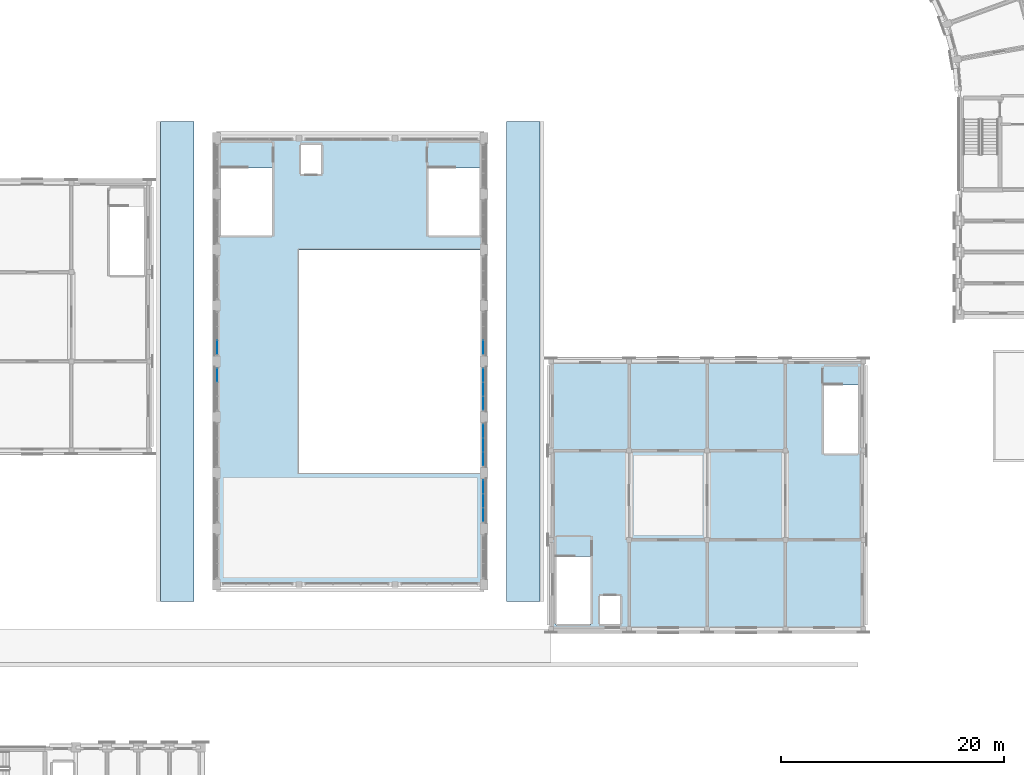
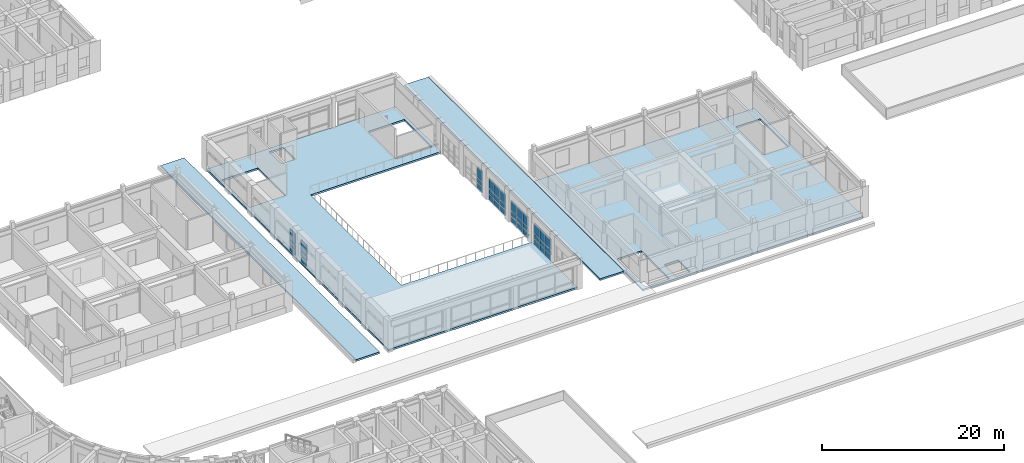
# One storey, part 46 of 97: 36 plates, 4 slabs, 6 elements without a shape of their own.
"""IFC4 building model written with IfcOpenShell, lengths in metres."""

from ifc_helpers import new_model, si_unit, direction, frame, origin, origin_2d, place, context, subcontext, project, spatial, polyline, rectangle, outline, extrude, material, layer, layer_set, type_object, element, aggregate, save


model = new_model("IFC4")

# Units and contexts
model_context = context("Model", 3, precision=1e-05, world=origin(), true_north=direction((0.0, 1.0)))
body_context = subcontext(model_context, "Body", "Model", "MODEL_VIEW")
ifc_project = project(units=[si_unit("LENGTHUNIT", "METRE"), si_unit("AREAUNIT", "SQUARE_METRE"), si_unit("VOLUMEUNIT", "CUBIC_METRE"), si_unit("PLANEANGLEUNIT", "RADIAN"), si_unit("MASSUNIT", "GRAM", prefix="KILO")], contexts=[model_context])

# Site, building, storey
site_placement = place(None, origin())
site = spatial("IfcSite", under=ifc_project, at=site_placement, CompositionType="ELEMENT")
building_placement = place(site_placement, origin())
building = spatial("IfcBuilding", under=site, at=building_placement, Name="Kiranvali Square Residences", CompositionType="ELEMENT")
storey_placement = place(building_placement, frame((0.0, 0.0, 4.5)))
storey = spatial("IfcBuildingStorey", under=building, at=storey_placement, Name="L01", CompositionType="ELEMENT", Elevation=4.5)

# Curtain wall, plates
ifc_material_1 = material(Name="Anodised bronze aluminium framing", Category="aluminium")
curtain_wall_type = type_object("IfcCurtainWallType", Name="CW-CH-GLZ", PredefinedType="USERDEFINED", material=ifc_material_1)
curtain_wall_1_placement = place(storey_placement, origin())
curtain_wall_1 = element("IfcCurtainWall", 1, at=curtain_wall_1_placement, inside=storey, type_object=curtain_wall_type, Name="Community Hall L01 E clerestory bay 2", ObjectType="CURTAIN WALL", PredefinedType="USERDEFINED")
ifc_material_2 = material(Name="Solar-control low-e double glazing", Category="glass")
ifc_layer_1 = layer(ifc_material_2, 0.028076171875)
ifc_layer_set_1 = layer_set([ifc_layer_1], Name="Solar-control low-e double glazing")
plate_type_1 = type_object("IfcPlateType", Name="PLT-CW-GLZ", PredefinedType="CURTAIN_PANEL", material=ifc_layer_set_1)
plate_1_placement = place(storey_placement, frame((95.919921875, 50.25341796875, 0.889892578125), z_axis=(0.0, 0.0, 1.0), x_axis=(0.0, 1.0, 0.0)))
plate_1 = element("IfcPlate", 2, at=plate_1_placement, type_object=plate_type_1, Name="CW-CH-L01-E2 glazed panel 1.2", PredefinedType="CURTAIN_PANEL", context=body_context, shape_type="SweptSolid", body=[
    extrude(rectangle(XDim=1.166748046875, YDim=0.028076171875, at=origin_2d()), origin(), (0.0, 0.0, 1.0), 0.6201171875),
])
plate_2_placement = place(storey_placement, frame((95.919921875, 50.25341796875, 1.58984375), z_axis=(0.0, 0.0, 1.0), x_axis=(0.0, 1.0, 0.0)))
plate_2 = element("IfcPlate", 3, at=plate_2_placement, type_object=plate_type_1, Name="CW-CH-L01-E2 glazed panel 1.3", PredefinedType="CURTAIN_PANEL", context=body_context, shape_type="SweptSolid", body=[
    extrude(rectangle(XDim=1.166748046875, YDim=0.028076171875, at=origin_2d()), origin(), (0.0, 0.0, 1.0), 1.429931640625),
])
plate_3_placement = place(storey_placement, frame((95.919921875, 51.5, 0.889892578125), z_axis=(0.0, 0.0, 1.0), x_axis=(0.0, 1.0, 0.0)))
plate_3 = element("IfcPlate", 4, at=plate_3_placement, type_object=plate_type_1, Name="CW-CH-L01-E2 glazed panel 2.2", PredefinedType="CURTAIN_PANEL", context=body_context, shape_type="SweptSolid", body=[
    extrude(rectangle(XDim=1.166748046875, YDim=0.028076171875, at=origin_2d()), origin(), (0.0, 0.0, 1.0), 0.6201171875),
])
plate_4_placement = place(storey_placement, frame((95.919921875, 51.5, 1.58984375), z_axis=(0.0, 0.0, 1.0), x_axis=(0.0, 1.0, 0.0)))
plate_4 = element("IfcPlate", 5, at=plate_4_placement, type_object=plate_type_1, Name="CW-CH-L01-E2 glazed panel 2.3", PredefinedType="CURTAIN_PANEL", context=body_context, shape_type="SweptSolid", body=[
    extrude(rectangle(XDim=1.166748046875, YDim=0.028076171875, at=origin_2d()), origin(), (0.0, 0.0, 1.0), 1.429931640625),
])
plate_5_placement = place(storey_placement, frame((95.919921875, 52.74658203125, 0.889892578125), z_axis=(0.0, 0.0, 1.0), x_axis=(0.0, 1.0, 0.0)))
plate_5 = element("IfcPlate", 6, at=plate_5_placement, type_object=plate_type_1, Name="CW-CH-L01-E2 glazed panel 3.2", PredefinedType="CURTAIN_PANEL", context=body_context, shape_type="SweptSolid", body=[
    extrude(rectangle(XDim=1.166748046875, YDim=0.028076171875, at=origin_2d()), origin(), (0.0, 0.0, 1.0), 0.6201171875),
])
plate_6_placement = place(storey_placement, frame((95.919921875, 52.74658203125, 1.58984375), z_axis=(0.0, 0.0, 1.0), x_axis=(0.0, 1.0, 0.0)))
plate_6 = element("IfcPlate", 7, at=plate_6_placement, type_object=plate_type_1, Name="CW-CH-L01-E2 glazed panel 3.3", PredefinedType="CURTAIN_PANEL", context=body_context, shape_type="SweptSolid", body=[
    extrude(rectangle(XDim=1.166748046875, YDim=0.028076171875, at=origin_2d()), origin(), (0.0, 0.0, 1.0), 1.429931640625),
])

curtain_wall_2_placement = place(storey_placement, origin())
curtain_wall_2 = element("IfcCurtainWall", 8, at=curtain_wall_2_placement, inside=storey, type_object=curtain_wall_type, Name="Community Hall L01 E clerestory bay 3", ObjectType="CURTAIN WALL", PredefinedType="USERDEFINED")
plate_7_placement = place(storey_placement, frame((95.919921875, 55.25341796875, 0.889892578125), z_axis=(0.0, 0.0, 1.0), x_axis=(0.0, 1.0, 0.0)))
plate_7 = element("IfcPlate", 9, at=plate_7_placement, type_object=plate_type_1, Name="CW-CH-L01-E3 glazed panel 1.2", PredefinedType="CURTAIN_PANEL", context=body_context, shape_type="SweptSolid", body=[
    extrude(rectangle(XDim=1.166748046875, YDim=0.028076171875, at=origin_2d()), origin(), (0.0, 0.0, 1.0), 0.6201171875),
])
plate_8_placement = place(storey_placement, frame((95.919921875, 55.25341796875, 1.58984375), z_axis=(0.0, 0.0, 1.0), x_axis=(0.0, 1.0, 0.0)))
plate_8 = element("IfcPlate", 10, at=plate_8_placement, type_object=plate_type_1, Name="CW-CH-L01-E3 glazed panel 1.3", PredefinedType="CURTAIN_PANEL", context=body_context, shape_type="SweptSolid", body=[
    extrude(rectangle(XDim=1.166748046875, YDim=0.028076171875, at=origin_2d()), origin(), (0.0, 0.0, 1.0), 1.429931640625),
])
plate_9_placement = place(storey_placement, frame((95.919921875, 56.5, 0.889892578125), z_axis=(0.0, 0.0, 1.0), x_axis=(0.0, 1.0, 0.0)))
plate_9 = element("IfcPlate", 11, at=plate_9_placement, type_object=plate_type_1, Name="CW-CH-L01-E3 glazed panel 2.2", PredefinedType="CURTAIN_PANEL", context=body_context, shape_type="SweptSolid", body=[
    extrude(rectangle(XDim=1.166748046875, YDim=0.028076171875, at=origin_2d()), origin(), (0.0, 0.0, 1.0), 0.6201171875),
])
plate_10_placement = place(storey_placement, frame((95.919921875, 56.5, 1.58984375), z_axis=(0.0, 0.0, 1.0), x_axis=(0.0, 1.0, 0.0)))
plate_10 = element("IfcPlate", 12, at=plate_10_placement, type_object=plate_type_1, Name="CW-CH-L01-E3 glazed panel 2.3", PredefinedType="CURTAIN_PANEL", context=body_context, shape_type="SweptSolid", body=[
    extrude(rectangle(XDim=1.166748046875, YDim=0.028076171875, at=origin_2d()), origin(), (0.0, 0.0, 1.0), 1.429931640625),
])
plate_11_placement = place(storey_placement, frame((95.919921875, 57.74658203125, 0.889892578125), z_axis=(0.0, 0.0, 1.0), x_axis=(0.0, 1.0, 0.0)))
plate_11 = element("IfcPlate", 13, at=plate_11_placement, type_object=plate_type_1, Name="CW-CH-L01-E3 glazed panel 3.2", PredefinedType="CURTAIN_PANEL", context=body_context, shape_type="SweptSolid", body=[
    extrude(rectangle(XDim=1.166748046875, YDim=0.028076171875, at=origin_2d()), origin(), (0.0, 0.0, 1.0), 0.6201171875),
])
plate_12_placement = place(storey_placement, frame((95.919921875, 57.74658203125, 1.58984375), z_axis=(0.0, 0.0, 1.0), x_axis=(0.0, 1.0, 0.0)))
plate_12 = element("IfcPlate", 14, at=plate_12_placement, type_object=plate_type_1, Name="CW-CH-L01-E3 glazed panel 3.3", PredefinedType="CURTAIN_PANEL", context=body_context, shape_type="SweptSolid", body=[
    extrude(rectangle(XDim=1.166748046875, YDim=0.028076171875, at=origin_2d()), origin(), (0.0, 0.0, 1.0), 1.429931640625),
])

curtain_wall_3_placement = place(storey_placement, origin())
curtain_wall_3 = element("IfcCurtainWall", 15, at=curtain_wall_3_placement, inside=storey, type_object=curtain_wall_type, Name="Community Hall L01 W clerestory bay 4", ObjectType="CURTAIN WALL", PredefinedType="USERDEFINED")
plate_13_placement = place(storey_placement, frame((72.080078125, 62.74658203125, 0.889892578125), z_axis=(0.0, 0.0, 1.0), x_axis=(0.0, 1.0, 0.0)))
plate_13 = element("IfcPlate", 16, at=plate_13_placement, type_object=plate_type_1, Name="CW-CH-L01-W4 glazed panel 3.2", PredefinedType="CURTAIN_PANEL", context=body_context, shape_type="SweptSolid", body=[
    extrude(rectangle(XDim=1.166748046875, YDim=0.028076171875, at=origin_2d()), origin(), (0.0, 0.0, 1.0), 0.6201171875),
])
plate_14_placement = place(storey_placement, frame((72.080078125, 62.74658203125, 1.58984375), z_axis=(0.0, 0.0, 1.0), x_axis=(0.0, 1.0, 0.0)))
plate_14 = element("IfcPlate", 17, at=plate_14_placement, type_object=plate_type_1, Name="CW-CH-L01-W4 glazed panel 3.3", PredefinedType="CURTAIN_PANEL", context=body_context, shape_type="SweptSolid", body=[
    extrude(rectangle(XDim=1.166748046875, YDim=0.028076171875, at=origin_2d()), origin(), (0.0, 0.0, 1.0), 1.429931640625),
])

curtain_wall_4_placement = place(storey_placement, origin())
curtain_wall_4 = element("IfcCurtainWall", 18, at=curtain_wall_4_placement, inside=storey, type_object=curtain_wall_type, Name="Community Hall L01 E clerestory bay 4", ObjectType="CURTAIN WALL", PredefinedType="USERDEFINED")
plate_15_placement = place(storey_placement, frame((95.919921875, 60.25341796875, 0.889892578125), z_axis=(0.0, 0.0, 1.0), x_axis=(0.0, 1.0, 0.0)))
plate_15 = element("IfcPlate", 19, at=plate_15_placement, type_object=plate_type_1, Name="CW-CH-L01-E4 glazed panel 1.2", PredefinedType="CURTAIN_PANEL", context=body_context, shape_type="SweptSolid", body=[
    extrude(rectangle(XDim=1.166748046875, YDim=0.028076171875, at=origin_2d()), origin(), (0.0, 0.0, 1.0), 0.6201171875),
])
plate_16_placement = place(storey_placement, frame((95.919921875, 60.25341796875, 1.58984375), z_axis=(0.0, 0.0, 1.0), x_axis=(0.0, 1.0, 0.0)))
plate_16 = element("IfcPlate", 20, at=plate_16_placement, type_object=plate_type_1, Name="CW-CH-L01-E4 glazed panel 1.3", PredefinedType="CURTAIN_PANEL", context=body_context, shape_type="SweptSolid", body=[
    extrude(rectangle(XDim=1.166748046875, YDim=0.028076171875, at=origin_2d()), origin(), (0.0, 0.0, 1.0), 1.429931640625),
])
plate_17_placement = place(storey_placement, frame((95.919921875, 61.5, 0.889892578125), z_axis=(0.0, 0.0, 1.0), x_axis=(0.0, 1.0, 0.0)))
plate_17 = element("IfcPlate", 21, at=plate_17_placement, type_object=plate_type_1, Name="CW-CH-L01-E4 glazed panel 2.2", PredefinedType="CURTAIN_PANEL", context=body_context, shape_type="SweptSolid", body=[
    extrude(rectangle(XDim=1.166748046875, YDim=0.028076171875, at=origin_2d()), origin(), (0.0, 0.0, 1.0), 0.6201171875),
])
plate_18_placement = place(storey_placement, frame((95.919921875, 61.5, 1.58984375), z_axis=(0.0, 0.0, 1.0), x_axis=(0.0, 1.0, 0.0)))
plate_18 = element("IfcPlate", 22, at=plate_18_placement, type_object=plate_type_1, Name="CW-CH-L01-E4 glazed panel 2.3", PredefinedType="CURTAIN_PANEL", context=body_context, shape_type="SweptSolid", body=[
    extrude(rectangle(XDim=1.166748046875, YDim=0.028076171875, at=origin_2d()), origin(), (0.0, 0.0, 1.0), 1.429931640625),
])
plate_19_placement = place(storey_placement, frame((95.919921875, 62.74658203125, 0.889892578125), z_axis=(0.0, 0.0, 1.0), x_axis=(0.0, 1.0, 0.0)))
plate_19 = element("IfcPlate", 23, at=plate_19_placement, type_object=plate_type_1, Name="CW-CH-L01-E4 glazed panel 3.2", PredefinedType="CURTAIN_PANEL", context=body_context, shape_type="SweptSolid", body=[
    extrude(rectangle(XDim=1.166748046875, YDim=0.028076171875, at=origin_2d()), origin(), (0.0, 0.0, 1.0), 0.6201171875),
])
plate_20_placement = place(storey_placement, frame((95.919921875, 62.74658203125, 1.58984375), z_axis=(0.0, 0.0, 1.0), x_axis=(0.0, 1.0, 0.0)))
plate_20 = element("IfcPlate", 24, at=plate_20_placement, type_object=plate_type_1, Name="CW-CH-L01-E4 glazed panel 3.3", PredefinedType="CURTAIN_PANEL", context=body_context, shape_type="SweptSolid", body=[
    extrude(rectangle(XDim=1.166748046875, YDim=0.028076171875, at=origin_2d()), origin(), (0.0, 0.0, 1.0), 1.429931640625),
])

curtain_wall_5_placement = place(storey_placement, origin())
curtain_wall_5 = element("IfcCurtainWall", 25, at=curtain_wall_5_placement, inside=storey, type_object=curtain_wall_type, Name="Community Hall L01 W clerestory bay 5", ObjectType="CURTAIN WALL", PredefinedType="USERDEFINED")
plate_21_placement = place(storey_placement, frame((72.080078125, 65.25341796875, 0.889892578125), z_axis=(0.0, 0.0, 1.0), x_axis=(0.0, 1.0, 0.0)))
plate_21 = element("IfcPlate", 26, at=plate_21_placement, type_object=plate_type_1, Name="CW-CH-L01-W5 glazed panel 1.2", PredefinedType="CURTAIN_PANEL", context=body_context, shape_type="SweptSolid", body=[
    extrude(rectangle(XDim=1.166748046875, YDim=0.028076171875, at=origin_2d()), origin(), (0.0, 0.0, 1.0), 0.6201171875),
])
plate_22_placement = place(storey_placement, frame((72.080078125, 65.25341796875, 1.58984375), z_axis=(0.0, 0.0, 1.0), x_axis=(0.0, 1.0, 0.0)))
plate_22 = element("IfcPlate", 27, at=plate_22_placement, type_object=plate_type_1, Name="CW-CH-L01-W5 glazed panel 1.3", PredefinedType="CURTAIN_PANEL", context=body_context, shape_type="SweptSolid", body=[
    extrude(rectangle(XDim=1.166748046875, YDim=0.028076171875, at=origin_2d()), origin(), (0.0, 0.0, 1.0), 1.429931640625),
])

curtain_wall_6_placement = place(storey_placement, origin())
curtain_wall_6 = element("IfcCurtainWall", 28, at=curtain_wall_6_placement, inside=storey, type_object=curtain_wall_type, Name="Community Hall L01 E clerestory bay 5", ObjectType="CURTAIN WALL", PredefinedType="USERDEFINED")
plate_23_placement = place(storey_placement, frame((95.919921875, 65.25341796875, 0.889892578125), z_axis=(0.0, 0.0, 1.0), x_axis=(0.0, 1.0, 0.0)))
plate_23 = element("IfcPlate", 29, at=plate_23_placement, type_object=plate_type_1, Name="CW-CH-L01-E5 glazed panel 1.2", PredefinedType="CURTAIN_PANEL", context=body_context, shape_type="SweptSolid", body=[
    extrude(rectangle(XDim=1.166748046875, YDim=0.028076171875, at=origin_2d()), origin(), (0.0, 0.0, 1.0), 0.6201171875),
])
plate_24_placement = place(storey_placement, frame((95.919921875, 65.25341796875, 1.58984375), z_axis=(0.0, 0.0, 1.0), x_axis=(0.0, 1.0, 0.0)))
plate_24 = element("IfcPlate", 30, at=plate_24_placement, type_object=plate_type_1, Name="CW-CH-L01-E5 glazed panel 1.3", PredefinedType="CURTAIN_PANEL", context=body_context, shape_type="SweptSolid", body=[
    extrude(rectangle(XDim=1.166748046875, YDim=0.028076171875, at=origin_2d()), origin(), (0.0, 0.0, 1.0), 1.429931640625),
])

# Plate
ifc_material_3 = material(Name="Honed Porbandar limestone ashlar facade cladding", Category="masonry")
ifc_layer_2 = layer(ifc_material_3, 0.02392578125)
ifc_layer_set_2 = layer_set([ifc_layer_2], Name="Honed Porbandar limestone ashlar facade cladding")
plate_type_2 = type_object("IfcPlateType", Name="PLT-CW-SPN", PredefinedType="SHEET", material=ifc_layer_set_2)
plate_25_placement = place(storey_placement, frame((95.919921875, 50.25341796875, 0.080078125), z_axis=(0.0, 0.0, 1.0), x_axis=(0.0, 1.0, 0.0)))
plate_25 = element("IfcPlate", 31, at=plate_25_placement, type_object=plate_type_2, Name="CW-CH-L01-E2 spandrel panel 1.1", PredefinedType="SHEET", context=body_context, shape_type="SweptSolid", body=[
    extrude(rectangle(XDim=1.166748046875, YDim=0.02392578125, at=origin_2d()), origin(), (0.0, 0.0, 1.0), 0.72998046875),
])

plate_26_placement = place(storey_placement, frame((95.919921875, 51.5, 0.080078125), z_axis=(0.0, 0.0, 1.0), x_axis=(0.0, 1.0, 0.0)))
plate_26 = element("IfcPlate", 32, at=plate_26_placement, type_object=plate_type_2, Name="CW-CH-L01-E2 spandrel panel 2.1", PredefinedType="SHEET", context=body_context, shape_type="SweptSolid", body=[
    extrude(rectangle(XDim=1.166748046875, YDim=0.02392578125, at=origin_2d()), origin(), (0.0, 0.0, 1.0), 0.72998046875),
])

plate_27_placement = place(storey_placement, frame((95.919921875, 52.74658203125, 0.080078125), z_axis=(0.0, 0.0, 1.0), x_axis=(0.0, 1.0, 0.0)))
plate_27 = element("IfcPlate", 33, at=plate_27_placement, type_object=plate_type_2, Name="CW-CH-L01-E2 spandrel panel 3.1", PredefinedType="SHEET", context=body_context, shape_type="SweptSolid", body=[
    extrude(rectangle(XDim=1.166748046875, YDim=0.02392578125, at=origin_2d()), origin(), (0.0, 0.0, 1.0), 0.72998046875),
])

aggregate(curtain_wall_1, [plate_25, plate_1, plate_2, plate_26, plate_3, plate_4, plate_27, plate_5, plate_6])

plate_28_placement = place(storey_placement, frame((95.919921875, 55.25341796875, 0.080078125), z_axis=(0.0, 0.0, 1.0), x_axis=(0.0, 1.0, 0.0)))
plate_28 = element("IfcPlate", 34, at=plate_28_placement, type_object=plate_type_2, Name="CW-CH-L01-E3 spandrel panel 1.1", PredefinedType="SHEET", context=body_context, shape_type="SweptSolid", body=[
    extrude(rectangle(XDim=1.166748046875, YDim=0.02392578125, at=origin_2d()), origin(), (0.0, 0.0, 1.0), 0.72998046875),
])

plate_29_placement = place(storey_placement, frame((95.919921875, 56.5, 0.080078125), z_axis=(0.0, 0.0, 1.0), x_axis=(0.0, 1.0, 0.0)))
plate_29 = element("IfcPlate", 35, at=plate_29_placement, type_object=plate_type_2, Name="CW-CH-L01-E3 spandrel panel 2.1", PredefinedType="SHEET", context=body_context, shape_type="SweptSolid", body=[
    extrude(rectangle(XDim=1.166748046875, YDim=0.02392578125, at=origin_2d()), origin(), (0.0, 0.0, 1.0), 0.72998046875),
])

plate_30_placement = place(storey_placement, frame((95.919921875, 57.74658203125, 0.080078125), z_axis=(0.0, 0.0, 1.0), x_axis=(0.0, 1.0, 0.0)))
plate_30 = element("IfcPlate", 36, at=plate_30_placement, type_object=plate_type_2, Name="CW-CH-L01-E3 spandrel panel 3.1", PredefinedType="SHEET", context=body_context, shape_type="SweptSolid", body=[
    extrude(rectangle(XDim=1.166748046875, YDim=0.02392578125, at=origin_2d()), origin(), (0.0, 0.0, 1.0), 0.72998046875),
])

aggregate(curtain_wall_2, [plate_28, plate_7, plate_8, plate_29, plate_9, plate_10, plate_30, plate_11, plate_12])

plate_31_placement = place(storey_placement, frame((72.080078125, 62.74658203125, 0.080078125), z_axis=(0.0, 0.0, 1.0), x_axis=(0.0, 1.0, 0.0)))
plate_31 = element("IfcPlate", 37, at=plate_31_placement, type_object=plate_type_2, Name="CW-CH-L01-W4 spandrel panel 3.1", PredefinedType="SHEET", context=body_context, shape_type="SweptSolid", body=[
    extrude(rectangle(XDim=1.166748046875, YDim=0.02392578125, at=origin_2d()), origin(), (0.0, 0.0, 1.0), 0.72998046875),
])

aggregate(curtain_wall_3, [plate_31, plate_13, plate_14])

plate_32_placement = place(storey_placement, frame((95.919921875, 60.25341796875, 0.080078125), z_axis=(0.0, 0.0, 1.0), x_axis=(0.0, 1.0, 0.0)))
plate_32 = element("IfcPlate", 38, at=plate_32_placement, type_object=plate_type_2, Name="CW-CH-L01-E4 spandrel panel 1.1", PredefinedType="SHEET", context=body_context, shape_type="SweptSolid", body=[
    extrude(rectangle(XDim=1.166748046875, YDim=0.02392578125, at=origin_2d()), origin(), (0.0, 0.0, 1.0), 0.72998046875),
])

plate_33_placement = place(storey_placement, frame((95.919921875, 61.5, 0.080078125), z_axis=(0.0, 0.0, 1.0), x_axis=(0.0, 1.0, 0.0)))
plate_33 = element("IfcPlate", 39, at=plate_33_placement, type_object=plate_type_2, Name="CW-CH-L01-E4 spandrel panel 2.1", PredefinedType="SHEET", context=body_context, shape_type="SweptSolid", body=[
    extrude(rectangle(XDim=1.166748046875, YDim=0.02392578125, at=origin_2d()), origin(), (0.0, 0.0, 1.0), 0.72998046875),
])

plate_34_placement = place(storey_placement, frame((95.919921875, 62.74658203125, 0.080078125), z_axis=(0.0, 0.0, 1.0), x_axis=(0.0, 1.0, 0.0)))
plate_34 = element("IfcPlate", 40, at=plate_34_placement, type_object=plate_type_2, Name="CW-CH-L01-E4 spandrel panel 3.1", PredefinedType="SHEET", context=body_context, shape_type="SweptSolid", body=[
    extrude(rectangle(XDim=1.166748046875, YDim=0.02392578125, at=origin_2d()), origin(), (0.0, 0.0, 1.0), 0.72998046875),
])

aggregate(curtain_wall_4, [plate_32, plate_15, plate_16, plate_33, plate_17, plate_18, plate_34, plate_19, plate_20])

plate_35_placement = place(storey_placement, frame((72.080078125, 65.25341796875, 0.080078125), z_axis=(0.0, 0.0, 1.0), x_axis=(0.0, 1.0, 0.0)))
plate_35 = element("IfcPlate", 41, at=plate_35_placement, type_object=plate_type_2, Name="CW-CH-L01-W5 spandrel panel 1.1", PredefinedType="SHEET", context=body_context, shape_type="SweptSolid", body=[
    extrude(rectangle(XDim=1.166748046875, YDim=0.02392578125, at=origin_2d()), origin(), (0.0, 0.0, 1.0), 0.72998046875),
])

aggregate(curtain_wall_5, [plate_35, plate_21, plate_22])

plate_36_placement = place(storey_placement, frame((95.919921875, 65.25341796875, 0.080078125), z_axis=(0.0, 0.0, 1.0), x_axis=(0.0, 1.0, 0.0)))
plate_36 = element("IfcPlate", 42, at=plate_36_placement, type_object=plate_type_2, Name="CW-CH-L01-E5 spandrel panel 1.1", PredefinedType="SHEET", context=body_context, shape_type="SweptSolid", body=[
    extrude(rectangle(XDim=1.166748046875, YDim=0.02392578125, at=origin_2d()), origin(), (0.0, 0.0, 1.0), 0.72998046875),
])

aggregate(curtain_wall_6, [plate_36, plate_23, plate_24])

# Slabs
ifc_material_4 = material(Name="Concrete M35 (35 MPa)", Category="concrete")
ifc_layer_3 = layer(ifc_material_4, 0.219970703125)
ifc_layer_set_3 = layer_set([ifc_layer_3], Name="Concrete M35 (35 MPa)")
slab_type_1 = type_object("IfcSlabType", Name="SLB-FLR-220", PredefinedType="FLOOR", material=ifc_layer_set_3)
slab_1_placement = place(storey_placement, frame((0.0, 0.0, -0.219970703125)))
element("IfcSlab", 43, at=slab_1_placement, inside=storey, type_object=slab_type_1, Name="Southeast Square Retail Pavilion L01 floor slab", PredefinedType="FLOOR", context=body_context, shape_type="SweptSolid", body=[
    extrude(outline(polyline([(102.0, 40.0), (130.0, 40.0), (130.0, 64.0), (102.0, 64.0), (102.0, 40.0)]), holes=[polyline([(106.39990234375, 40.35009765625), (108.199951171875, 40.35009765625), (108.199951171875, 42.949951171875), (106.39990234375, 42.949951171875), (106.39990234375, 40.35009765625)]), polyline([(102.449951171875, 46.5), (102.449951171875, 40.35009765625), (105.550048828125, 40.35009765625), (105.550048828125, 46.5), (102.449951171875, 46.5)]), polyline([(126.449951171875, 61.89990234375), (126.449951171875, 55.75), (129.550048828125, 55.75), (129.550048828125, 61.89990234375), (126.449951171875, 61.89990234375)])]), origin(), (0.0, 0.0, 1.0), 0.219970703125),
])
ifc_layer_4 = layer(ifc_material_4, 0.25)
ifc_layer_set_4 = layer_set([ifc_layer_4], Name="Concrete M35 (35 MPa)")
slab_type_2 = type_object("IfcSlabType", Name="SLB-GAL-250", PredefinedType="FLOOR", material=ifc_layer_set_4)
slab_2_placement = place(storey_placement, frame((0.0, 0.0, -0.25)))
element("IfcSlab", 44, at=slab_2_placement, inside=storey, type_object=slab_type_2, Name="Community Hall L01 gallery and seminar floor slab", PredefinedType="FLOOR", context=body_context, shape_type="SweptSolid", body=[
    extrude(outline(polyline([(96.0, 44.0), (72.0, 44.0), (72.0, 84.0), (96.0, 84.0), (96.0, 74.0), (79.39990234375, 74.0), (79.39990234375, 54.0), (96.0, 54.0), (96.0, 44.0)]), holes=[polyline([(79.60009765625, 80.800048828125), (81.39990234375, 80.800048828125), (81.39990234375, 83.39990234375), (79.60009765625, 83.39990234375), (79.60009765625, 80.800048828125)]), polyline([(72.39990234375, 81.35009765625), (72.39990234375, 75.300048828125), (77.0, 75.300048828125), (77.0, 81.35009765625), (72.39990234375, 81.35009765625)]), polyline([(91.0, 81.35009765625), (91.0, 75.300048828125), (95.60009765625, 75.300048828125), (95.60009765625, 81.35009765625), (91.0, 81.35009765625)])]), origin(), (0.0, 0.0, 1.0), 0.25),
])
ifc_material_5 = material(Name="Concrete M40 (40 MPa)", Category="concrete")
ifc_layer_5 = layer(ifc_material_5, 0.239990234375)
ifc_layer_set_5 = layer_set([ifc_layer_5], Name="Concrete M40 (40 MPa)")
slab_type_3 = type_object("IfcSlabType", Name="SLB-ROOF-240", PredefinedType="ROOF", material=ifc_layer_set_5)
slab_3_placement = place(storey_placement, frame((0.0, 0.0, 1.06005859375)))
element("IfcSlab", 45, at=slab_3_placement, inside=storey, type_object=slab_type_3, Name="Classical Ottoman colonnade entablature roof ARC-GDN-W", PredefinedType="ROOF", context=body_context, shape_type="SweptSolid", body=[
    extrude(outline(polyline([(67.0, 42.5), (70.0, 42.5), (70.0, 85.5), (67.0, 85.5), (67.0, 42.5)])), origin(), (0.0, 0.0, 1.0), 0.239990234375),
])
slab_4_placement = place(storey_placement, frame((0.0, 0.0, 1.06005859375)))
element("IfcSlab", 46, at=slab_4_placement, inside=storey, type_object=slab_type_3, Name="Classical Ottoman colonnade entablature roof ARC-GDN-E", PredefinedType="ROOF", context=body_context, shape_type="SweptSolid", body=[
    extrude(outline(polyline([(98.0, 42.5), (101.0, 42.5), (101.0, 85.5), (98.0, 85.5), (98.0, 42.5)])), origin(), (0.0, 0.0, 1.0), 0.239990234375),
])

save(model, "model.ifc")
